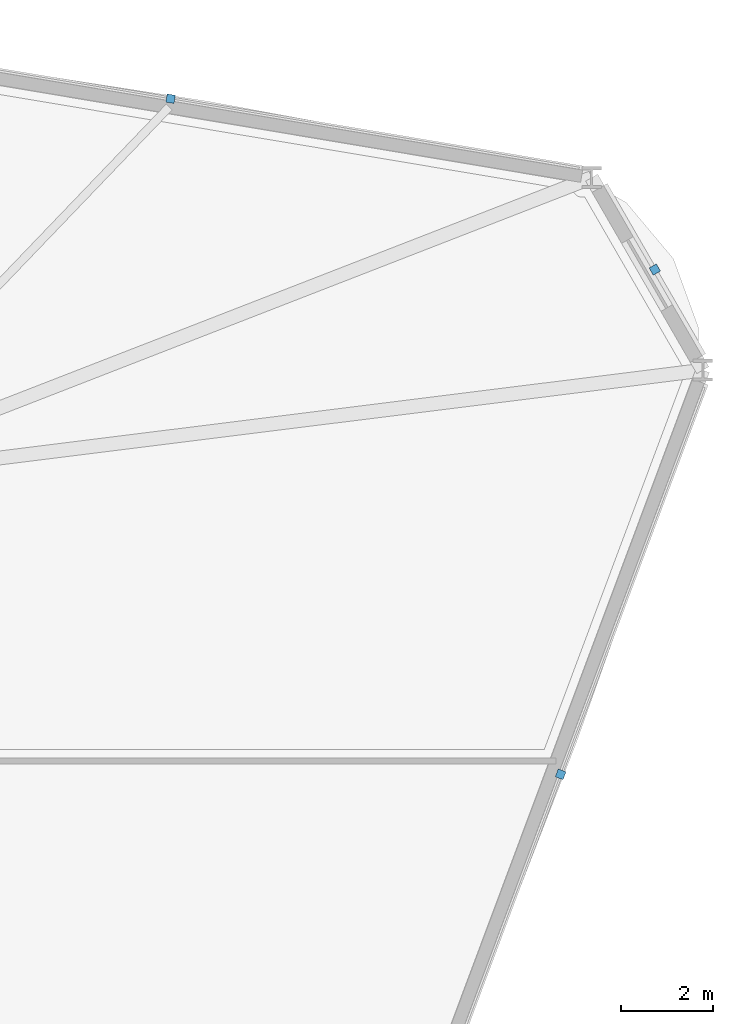
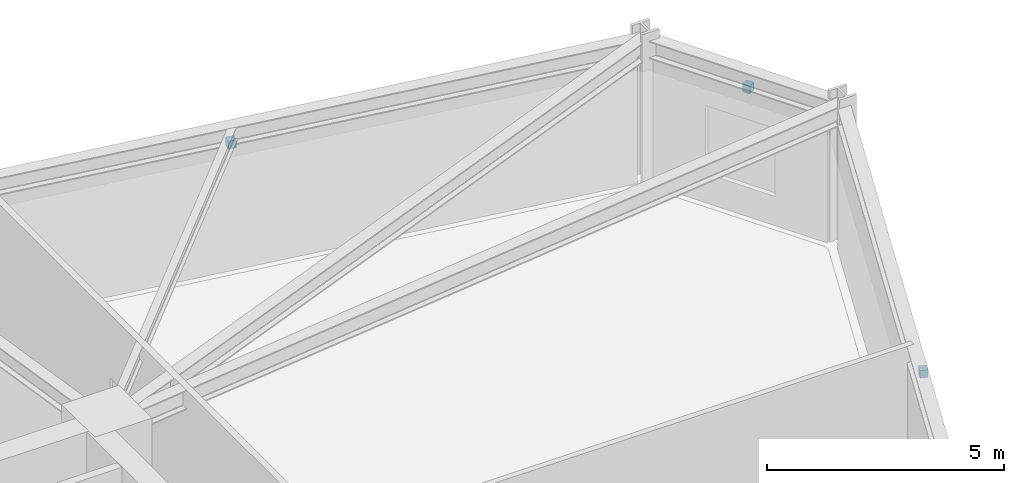
# One storey, part 19 of 22: 3 discrete accessories.
"""IFC4 building model written with IfcOpenShell, lengths in metres."""

import ifcopenshell
import ifcopenshell.guid

model = None  # the IFC model being written
_history = None  # IfcOwnerHistory: only IFC2X3 demands one
_inside = {}  # id of a spatial element -> (the spatial element, [elements in it])
_under = {}  # id of a project, library or spatial element -> (it, [spatial elements below it])
_declared = {}  # id of a project -> (the project, [libraries it declares])
_typed = {}  # id of a type object -> (the type object, [elements of that type])
_made_of = {}  # id of a material, layer set ... -> (it, [elements and type objects made of it])


def new_model(schema):
    """Start an empty IFC model of exactly this schema.

    Asked for "IFC4X3", IfcOpenShell would pick the latest addendum, in which some entities
    have other attributes; the version numbers below select the first issue.
    IFC2X3 requires an IfcOwnerHistory on every rooted entity: one is made here for all.
    """
    global model, _history
    if schema == "IFC4X3":
        model = ifcopenshell.file(schema_version=(4, 3, 0, 0))
    else:
        model = ifcopenshell.file(schema=schema)
    _inside.clear()
    _under.clear()
    _declared.clear()
    _typed.clear()
    _made_of.clear()
    _history = None
    if model.schema == "IFC2X3":
        org = make("IfcOrganization", Name="unknown")
        user = make(
            "IfcPersonAndOrganization",
            ThePerson=make("IfcPerson", FamilyName="unknown"),
            TheOrganization=org,
        )
        app = make(
            "IfcApplication",
            ApplicationDeveloper=org,
            Version="unknown",
            ApplicationFullName="unknown",
            ApplicationIdentifier="unknown",
        )
        _history = make(
            "IfcOwnerHistory",
            OwningUser=user,
            OwningApplication=app,
            ChangeAction="ADDED",
            CreationDate=0,
        )
    return model


def make(cls, **values):
    """One entity of the class cls with the attributes given. An attribute that is None is left unset."""
    return model.create_entity(
        cls, **{name: value for name, value in values.items() if value is not None}
    )


def rooted(cls, **values):
    """An entity with a GlobalId (a new one), such as an element, a storey or a relation."""
    return make(cls, GlobalId=ifcopenshell.guid.new(), OwnerHistory=_history, **values)


def si_unit(unit_type, name, prefix=None):
    """IfcSIUnit, for example si_unit("LENGTHUNIT", "METRE", prefix="MILLI")."""
    return make("IfcSIUnit", UnitType=unit_type, Prefix=prefix, Name=name)


def derived_unit(unit_type, elements):
    """IfcDerivedUnit: a product of units, each with its exponent."""
    return make(
        "IfcDerivedUnit",
        Elements=[
            make("IfcDerivedUnitElement", Unit=unit, Exponent=power)
            for unit, power in elements
        ],
        UnitType=unit_type,
    )


def assignment(units):
    """IfcUnitAssignment: the units of a project."""
    return None if units is None else make("IfcUnitAssignment", Units=units)


def point(xyz):
    """IfcCartesianPoint."""
    return None if xyz is None else make("IfcCartesianPoint", Coordinates=xyz)


def direction(xyz):
    """IfcDirection."""
    return None if xyz is None else make("IfcDirection", DirectionRatios=xyz)


def frame(location, z_axis=None, x_axis=None):
    """IfcAxis2Placement3D, a coordinate frame: its origin and axes. An axis left out is left unset."""
    return make(
        "IfcAxis2Placement3D",
        Location=point(location),
        Axis=direction(z_axis),
        RefDirection=direction(x_axis),
    )


def frame_2d(location, x_axis=None):
    """IfcAxis2Placement2D, a coordinate frame in the plane: its origin and x axis."""
    return make(
        "IfcAxis2Placement2D", Location=point(location), RefDirection=direction(x_axis)
    )


def origin():
    """The frame at (0, 0, 0) with its axes left unset."""
    return frame((0.0, 0.0, 0.0))


def origin_2d():
    """The frame at (0, 0) in the plane with its x axis left unset."""
    return frame_2d((0.0, 0.0))


def place(relative_to, where):
    """IfcLocalPlacement: puts the frame where relative to a parent placement (None: the world)."""
    return make(
        "IfcLocalPlacement", PlacementRelTo=relative_to, RelativePlacement=where
    )


def context(
    kind, dimensions, precision=None, world=None, true_north=None, identifier=None
):
    """IfcGeometricRepresentationContext, for example the 3D "Model" context."""
    return make(
        "IfcGeometricRepresentationContext",
        ContextIdentifier=identifier,
        ContextType=kind,
        CoordinateSpaceDimension=dimensions,
        Precision=precision,
        WorldCoordinateSystem=world,
        TrueNorth=true_north,
    )


def subcontext(parent, identifier, kind, view, scale=None):
    """IfcGeometricRepresentationSubContext, for example "Body" below "Model"."""
    return make(
        "IfcGeometricRepresentationSubContext",
        ContextIdentifier=identifier,
        ContextType=kind,
        ParentContext=parent,
        TargetScale=scale,
        TargetView=view,
    )


def project(units=None, contexts=None):
    """IfcProject with its units and contexts."""
    return rooted(
        "IfcProject",
        Name="project",
        RepresentationContexts=contexts,
        UnitsInContext=assignment(units),
    )


def spatial(cls, under=None, at=None, **own):
    """A site, building, storey or space (cls), placed at a placement, below another one or the project."""
    s = rooted(cls, ObjectPlacement=at, **own)
    if under is not None:
        _under.setdefault(under.id(), (under, []))[1].append(s)
    return s


def profile(cls, at=None, kind="AREA", **sizes):
    """A parametric profile (cls). Its sizes go by their IFC names, for example OverallWidth=200.0."""
    return make(cls, ProfileType=kind, Position=at, **sizes)


def rectangle(**sizes):
    """IfcRectangleProfileDef."""
    return profile("IfcRectangleProfileDef", **sizes)


def extrude(swept, where, along, depth):
    """IfcExtrudedAreaSolid: the profile swept, set in the frame where, extruded along a direction by depth."""
    return make(
        "IfcExtrudedAreaSolid",
        SweptArea=swept,
        Position=where,
        ExtrudedDirection=direction(along),
        Depth=depth,
    )


def shape(context_of_items, identifier, shape_type, items):
    """IfcShapeRepresentation: the items that make up one representation, for example the "Body"."""
    return make(
        "IfcShapeRepresentation",
        ContextOfItems=context_of_items,
        RepresentationIdentifier=identifier,
        RepresentationType=shape_type,
        Items=items,
    )


def source(mapping_origin, context_of_items, identifier, shape_type, items):
    """IfcRepresentationMap: a shape defined once, which mapped items show again and again."""
    return make(
        "IfcRepresentationMap",
        MappingOrigin=mapping_origin,
        MappedRepresentation=shape(context_of_items, identifier, shape_type, items),
    )


def transform(
    local_origin,
    x_axis=None,
    y_axis=None,
    z_axis=None,
    scale=None,
    scale2=None,
    scale3=None,
    uniform=True,
):
    """IfcCartesianTransformationOperator3D, or its non-uniform kind. x_axis, y_axis, z_axis: its Axis1, 2, 3."""
    if uniform:
        return make(
            "IfcCartesianTransformationOperator3D",
            Axis1=direction(x_axis),
            Axis2=direction(y_axis),
            LocalOrigin=point(local_origin),
            Scale=scale,
            Axis3=direction(z_axis),
        )
    return make(
        "IfcCartesianTransformationOperator3DnonUniform",
        Axis1=direction(x_axis),
        Axis2=direction(y_axis),
        LocalOrigin=point(local_origin),
        Scale=scale,
        Axis3=direction(z_axis),
        Scale2=scale2,
        Scale3=scale3,
    )


def mapped(mapping_source, mapping_target):
    """IfcMappedItem: shows the shape of a source again, moved by a transform."""
    return make(
        "IfcMappedItem", MappingSource=mapping_source, MappingTarget=mapping_target
    )


def material(Name=None, Category=None):
    """IfcMaterial."""
    return make("IfcMaterial", Name=Name, Category=Category)


def made_of(thing, what):
    """Note that an element or type object is made of a material, layer set ...; save() writes the relation."""
    if what is not None:
        _made_of.setdefault(what.id(), (what, []))[1].append(thing)
    return thing


def type_object(cls, material=None, **own):
    """A type object (cls), such as IfcWallType, which elements share."""
    return made_of(rooted(cls, **own), material)


def element(
    cls,
    number,
    at=None,
    inside=None,
    cuts=None,
    type_object=None,
    material=None,
    context=None,
    identifier="Body",
    shape_type=None,
    held_by="IfcProductDefinitionShape",
    body=None,
    shapes=None,
    **own,
):
    """One element of the class cls, such as IfcWall. Its Tag is "e" and its number.

    at: its placement. inside: the storey or other place that contains it. cuts: it is an
    opening in that element (IfcRelVoidsElement). A single representation is given by context,
    identifier, shape_type and body (its items); several are given by shapes. held_by: the class
    of the entity that holds the representations. save() writes the other relations.
    """
    e = rooted(cls, Tag="e%d" % number, ObjectPlacement=at, **own)
    if body is not None:
        shapes = [shape(context, identifier, shape_type, body)]
    if shapes is not None:
        e.Representation = make(held_by, Representations=shapes)
    if inside is not None:
        _inside.setdefault(inside.id(), (inside, []))[1].append(e)
    if cuts is not None:
        rooted(
            "IfcRelVoidsElement", RelatingBuildingElement=cuts, RelatedOpeningElement=e
        )
    if type_object is not None:
        _typed.setdefault(type_object.id(), (type_object, []))[1].append(e)
    return made_of(e, material)


def aggregate(whole, parts):
    """IfcRelAggregates: a whole, such as a stair, and the parts it consists of."""
    return rooted("IfcRelAggregates", RelatingObject=whole, RelatedObjects=parts)


def save(model, path):
    """Write the relations noted so far, then the file.

    IfcRelAggregates (storeys below a building ...), IfcRelContainedInSpatialStructure (elements
    in a storey), IfcRelDefinesByType, IfcRelAssociatesMaterial and IfcRelDeclares: one each for
    every whole, place, type object, material and project.
    """
    for whole, parts in _under.values():
        aggregate(whole, parts)
    for where, things in _inside.values():
        rooted(
            "IfcRelContainedInSpatialStructure",
            RelatedElements=things,
            RelatingStructure=where,
        )
    for kind, things in _typed.values():
        rooted("IfcRelDefinesByType", RelatedObjects=things, RelatingType=kind)
    for what, things in _made_of.values():
        rooted("IfcRelAssociatesMaterial", RelatedObjects=things, RelatingMaterial=what)
    for by, libraries in _declared.values():
        rooted("IfcRelDeclares", RelatingContext=by, RelatedDefinitions=libraries)
    model.write(path)


model = new_model("IFC4")

# Units and contexts
model_context = context("Model", 3, precision=1e-05, world=origin(), true_north=direction((0.0, 1.0)))
body_context = subcontext(model_context, "Body", "Model", "MODEL_VIEW")
ifc_project = project(units=[si_unit("LENGTHUNIT", "METRE"), si_unit("AREAUNIT", "SQUARE_METRE"), si_unit("VOLUMEUNIT", "CUBIC_METRE"), si_unit("PLANEANGLEUNIT", "RADIAN"), si_unit("MASSUNIT", "GRAM", prefix="KILO"), derived_unit("THERMALTRANSMITTANCEUNIT", [(si_unit("POWERUNIT", "WATT"), 1), (si_unit("LENGTHUNIT", "METRE"), -2), (si_unit("THERMODYNAMICTEMPERATUREUNIT", "KELVIN"), -1)])], contexts=[model_context])

# Site, building, storey
site_placement = place(None, origin())
site = spatial("IfcSite", under=ifc_project, at=site_placement, CompositionType="ELEMENT")
building_placement = place(site_placement, origin())
building = spatial("IfcBuilding", under=site, at=building_placement, Name="Korsvarv Bourse and Concert Hall", CompositionType="ELEMENT")
storey_placement = place(building_placement, frame((0.0, 0.0, 47.39990234375)))
storey = spatial("IfcBuildingStorey", under=building, at=storey_placement, Name="L11", CompositionType="ELEMENT", Elevation=47.39990234375)

# Discrete accessories
ifc_material = material(Name="Stainless Steel S355 facade outrigger bracket", Category="steel")
discrete_accessory_type = type_object("IfcDiscreteAccessoryType", Name="ACC-BRK-1", PredefinedType="BRACKET", material=ifc_material)
shared_shape = source(origin(), body_context, "Body", "SweptSolid", [
    extrude(rectangle(XDim=0.179931640625, YDim=0.179931640625, at=origin_2d()), origin(), (0.0, 0.0, 1.0), 0.199951171875),
])
for number, where, z_axis, x_axis, name in (
    (1, (63.436279296875, 51.840576171875, 2.97021484375), (0.0, 0.0, 1.0), (-0.5, 0.866025403784, 0.0), "L11 terracotta sunshade bracket EW-L11-B01"),
    (2, (52.956787109375, 55.53662109375, 2.97021484375), (0.0, 0.0, 1.0), (-0.986285601537, 0.165047605861, 0.0), "L11 terracotta sunshade bracket EW-L11-B02"),
    (3, (61.3974609375, 40.916748046875, 2.97021484375), (0.0, 0.0, 1.0), (0.350207381259, 0.936672189248, 0.0), "L11 terracotta sunshade bracket EW-L11-B12"),
):
    element("IfcDiscreteAccessory", number, at=place(storey_placement, frame(where, z_axis=z_axis, x_axis=x_axis)), inside=storey, type_object=discrete_accessory_type, Name=name, PredefinedType="BRACKET", context=body_context, shape_type="MappedRepresentation", body=[
        mapped(shared_shape, transform((0.0, 0.0, 0.0), scale=1.0)),
    ])

save(model, "model.ifc")
